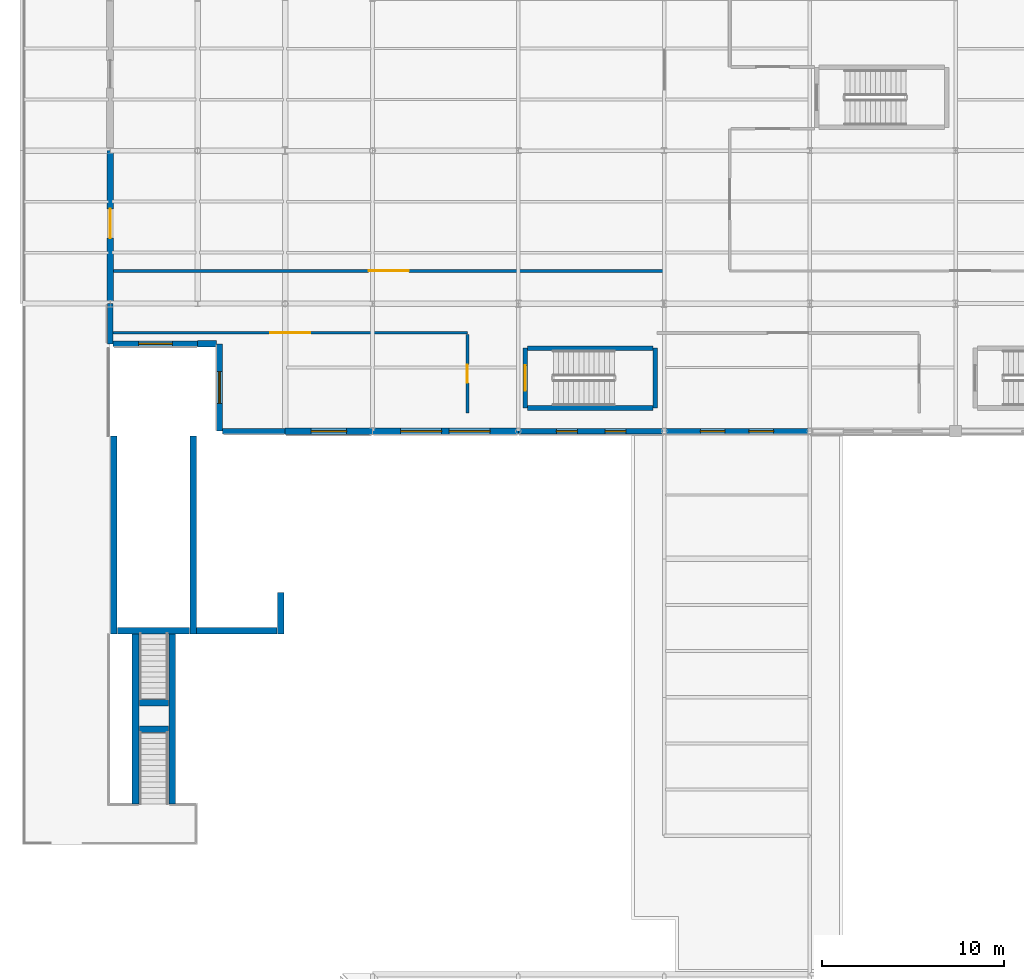
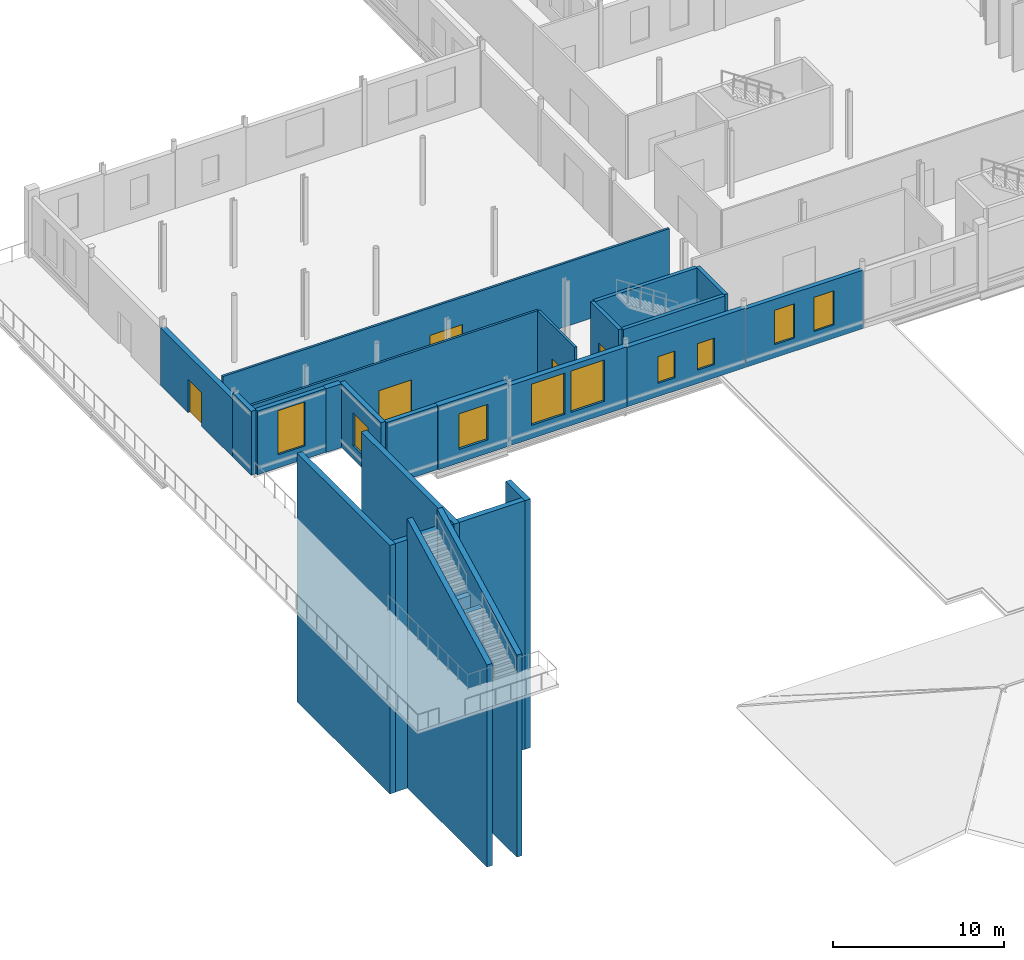
# One storey, part 93 of 120: 26 walls, 9 windows, 5 doors, 14 openings.
"""IFC4 building model written with IfcOpenShell, lengths in metres."""

from ifc_helpers import new_model, si_unit, direction, frame, frame_2d, origin, place, context, subcontext, project, spatial, polyline, rectangle, outline, extrude, material, layer, layer_set, type_object, element, fill, save


model = new_model("IFC4")

# Units and contexts
model_context = context("Model", 3, precision=1e-05, world=origin(), true_north=direction((0.0, 1.0)))
body_context = subcontext(model_context, "Body", "Model", "MODEL_VIEW")
ifc_project = project(units=[si_unit("LENGTHUNIT", "METRE"), si_unit("AREAUNIT", "SQUARE_METRE"), si_unit("VOLUMEUNIT", "CUBIC_METRE"), si_unit("PLANEANGLEUNIT", "RADIAN"), si_unit("MASSUNIT", "GRAM", prefix="KILO")], contexts=[model_context])

# Site, building, storey
site_placement = place(None, origin())
site = spatial("IfcSite", under=ifc_project, at=site_placement, CompositionType="ELEMENT")
building_placement = place(site_placement, origin())
building = spatial("IfcBuilding", under=site, at=building_placement, Name="Vekula Escarpment Museum", CompositionType="ELEMENT")
storey_placement = place(building_placement, frame((0.0, 0.0, 13.199951171875)))
storey = spatial("IfcBuildingStorey", under=building, at=storey_placement, Name="L03", CompositionType="ELEMENT", Elevation=13.199951171875)

# Wall
ifc_material_1 = material(Name="Inkisi arkosic sandstone masonry", Category="masonry")
ifc_layer_1 = layer(ifc_material_1, 0.300048828125)
ifc_layer_set_1 = layer_set([ifc_layer_1], Name="Inkisi arkosic sandstone masonry")
wall_type_1 = type_object("IfcWallType", Name="WL-ALM-300", PredefinedType="SOLIDWALL", material=ifc_layer_set_1)
wall_1_placement = place(storey_placement, frame((19.199951171875, 52.60009765625, 0.0), z_axis=(0.0, 0.0, 1.0), x_axis=(-1.0, 0.0, 0.0)))
element("IfcWall", 1, at=wall_1_placement, inside=storey, type_object=wall_type_1, Name="Exterior Wall WL-EXT-L03-0555", PredefinedType="SOLIDWALL", context=body_context, shape_type="SweptSolid", body=[
    extrude(rectangle(XDim=3.43603515625, YDim=0.300048828125, at=frame_2d((1.718017578125, 0.0))), origin(), (0.0, 0.0, 1.0), 4.56005859375),
])

# Wall, openings, windows
wall_2_placement = place(storey_placement, frame((48.0, 52.60009765625, 0.0), z_axis=(0.0, 0.0, 1.0), x_axis=(-1.0, 0.0, 0.0)))
wall_2 = element("IfcWall", 2, at=wall_2_placement, inside=storey, type_object=wall_type_1, Name="Exterior Wall WL-EXT-L03-0559", PredefinedType="SOLIDWALL", context=body_context, shape_type="SweptSolid", body=[
    extrude(rectangle(XDim=8.0, YDim=0.300048828125, at=frame_2d((4.0, 0.0))), origin(), (0.0, 0.0, 1.0), 4.18505859375),
])
opening_1_placement = place(wall_2_placement, frame((1.99169921875, 0.0, 0.949951171875)))
opening_1 = element("IfcOpeningElement", 3, at=opening_1_placement, cuts=wall_2, Name="Opening WN-31", PredefinedType="OPENING", context=body_context, shape_type="SweptSolid", body=[
    extrude(rectangle(XDim=1.35009765625, YDim=2.449951171875, at=frame_2d((0.675048828125, 1.22509765625))), frame((0.0, 0.159912109375, 0.0), z_axis=(0.0, -1.0, 0.0), x_axis=(1.0, 0.0, 0.0)), (0.0, 0.0, 1.0), 0.320068359375),
])
opening_2_placement = place(wall_2_placement, frame((4.658203125, 0.0, 0.949951171875)))
opening_2 = element("IfcOpeningElement", 4, at=opening_2_placement, cuts=wall_2, Name="Opening WN-31", PredefinedType="OPENING", context=body_context, shape_type="SweptSolid", body=[
    extrude(rectangle(XDim=1.35009765625, YDim=2.449951171875, at=frame_2d((0.675048828125, 1.22509765625))), frame((0.0, 0.159912109375, 0.0), z_axis=(0.0, -1.0, 0.0), x_axis=(1.0, 0.0, 0.0)), (0.0, 0.0, 1.0), 0.320068359375),
])
ifc_material_2 = material(Name="Double solar-control low-E glass", Category="glass")
window_type_1 = type_object("IfcWindowType", Name="WN-GAL-13x24", PartitioningType="SINGLE_PANEL", PredefinedType="WINDOW", material=ifc_material_2)
window_1_placement = place(opening_1_placement, origin())
window_1 = element("IfcWindow", 5, at=window_1_placement, inside=storey, type_object=window_type_1, Name="Window L03-0263", OverallHeight=2.449951171875, OverallWidth=1.35009765625, PartitioningType="SINGLE_PANEL", PredefinedType="WINDOW", context=body_context, shape_type="SweptSolid", body=[
    extrude(rectangle(XDim=1.35009765625, YDim=2.449951171875, at=frame_2d((0.675048828125, 1.22509765625))), frame((0.0, 0.030029296875, 0.0), z_axis=(0.0, -1.0, 0.0), x_axis=(1.0, 0.0, 0.0)), (0.0, 0.0, 1.0), 0.06005859375),
])
fill(opening_1, window_1)
window_2_placement = place(opening_2_placement, origin())
window_2 = element("IfcWindow", 6, at=window_2_placement, inside=storey, type_object=window_type_1, Name="Window L03-0264", OverallHeight=2.449951171875, OverallWidth=1.35009765625, PartitioningType="SINGLE_PANEL", PredefinedType="WINDOW", context=body_context, shape_type="SweptSolid", body=[
    extrude(rectangle(XDim=1.35009765625, YDim=2.449951171875, at=frame_2d((0.675048828125, 1.22509765625))), frame((0.0, 0.030029296875, 0.0), z_axis=(0.0, -1.0, 0.0), x_axis=(1.0, 0.0, 0.0)), (0.0, 0.0, 1.0), 0.06005859375),
])
fill(opening_2, window_2)

# Wall, opening, window
wall_3_placement = place(storey_placement, frame((14.39990234375, 57.39990234375, 0.0), z_axis=(0.0, 0.0, 1.0), x_axis=(-1.0, 0.0, 0.0)))
wall_3 = element("IfcWall", 7, at=wall_3_placement, inside=storey, type_object=wall_type_1, Name="Exterior Wall WL-EXT-L03-0683", PredefinedType="SOLIDWALL", context=body_context, shape_type="SweptSolid", body=[
    extrude(rectangle(XDim=4.635986328125, YDim=0.300048828125, at=frame_2d((2.31787109375, 0.0))), origin(), (0.0, 0.0, 1.0), 4.56005859375),
])
opening_3_placement = place(wall_3_placement, frame((1.39306640625, 0.0, 0.949951171875)))
opening_3 = element("IfcOpeningElement", 8, at=opening_3_placement, cuts=wall_3, Name="Opening WN-34", PredefinedType="OPENING", context=body_context, shape_type="SweptSolid", body=[
    extrude(rectangle(XDim=1.85009765625, YDim=3.14990234375, at=frame_2d((0.925048828125, 1.574951171875))), frame((0.0, 0.159912109375, 0.0), z_axis=(0.0, -1.0, 0.0), x_axis=(1.0, 0.0, 0.0)), (0.0, 0.0, 1.0), 0.320068359375),
])
ifc_material_3 = material(Name="Double solar-control low-E glass", Category="glass")
window_type_2 = type_object("IfcWindowType", Name="WN-GAL-18x31", PartitioningType="DOUBLE_PANEL_VERTICAL", PredefinedType="WINDOW", material=ifc_material_3)
window_3_placement = place(opening_3_placement, origin())
window_3 = element("IfcWindow", 9, at=window_3_placement, inside=storey, type_object=window_type_2, Name="Window L03-0356", OverallHeight=3.14990234375, OverallWidth=1.85009765625, PartitioningType="SINGLE_PANEL", PredefinedType="WINDOW", context=body_context, shape_type="SweptSolid", body=[
    extrude(rectangle(XDim=1.85009765625, YDim=3.14990234375, at=frame_2d((0.925048828125, 1.574951171875))), frame((0.0, 0.030029296875, 0.0), z_axis=(0.0, -1.0, 0.0), x_axis=(1.0, 0.0, 0.0)), (0.0, 0.0, 1.0), 0.06005859375),
])
fill(opening_3, window_3)

ifc_material_4 = material(Name="Inkisi arkosic sandstone masonry", Category="masonry")
ifc_layer_2 = layer(ifc_material_4, 0.320068359375)
ifc_layer_set_2 = layer_set([ifc_layer_2], Name="Inkisi arkosic sandstone masonry")
wall_type_2 = type_object("IfcWallType", Name="WL-ALM-320", PredefinedType="SOLIDWALL", material=ifc_layer_set_2)
wall_4_placement = place(storey_placement, frame((15.60009765625, 52.60009765625, 0.0), z_axis=(0.0, 0.0, 1.0), x_axis=(0.0, 1.0, 0.0)))
wall_4 = element("IfcWall", 10, at=wall_4_placement, inside=storey, type_object=wall_type_2, Name="Exterior Wall WL-EXT-L03-0554", PredefinedType="SOLIDWALL", context=body_context, shape_type="SweptSolid", body=[
    extrude(rectangle(XDim=4.7998046875, YDim=0.320068359375, at=frame_2d((2.39990234375, 0.0))), origin(), (0.0, 0.0, 1.0), 4.56005859375),
])
opening_4_placement = place(wall_4_placement, frame((1.52490234375, 0.0, 0.949951171875)))
opening_4 = element("IfcOpeningElement", 11, at=opening_4_placement, cuts=wall_4, Name="Opening WN-25", PredefinedType="OPENING", context=body_context, shape_type="SweptSolid", body=[
    extrude(rectangle(XDim=1.75, YDim=2.35009765625, at=frame_2d((0.875, 1.175048828125))), frame((0.0, 0.169921875, 0.0), z_axis=(0.0, -1.0, 0.0), x_axis=(1.0, 0.0, 0.0)), (0.0, 0.0, 1.0), 0.340087890625),
])
ifc_material_5 = material(Name="Double solar-control low-E glass", Category="glass")
window_type_3 = type_object("IfcWindowType", Name="WN-GAL-17x23", PartitioningType="DOUBLE_PANEL_HORIZONTAL", PredefinedType="WINDOW", material=ifc_material_5)
window_4_placement = place(opening_4_placement, origin())
window_4 = element("IfcWindow", 12, at=window_4_placement, inside=storey, type_object=window_type_3, Name="Window L03-0257", OverallHeight=2.35009765625, OverallWidth=1.75, PartitioningType="SINGLE_PANEL", PredefinedType="WINDOW", context=body_context, shape_type="SweptSolid", body=[
    extrude(rectangle(XDim=1.75, YDim=2.35009765625, at=frame_2d((0.875, 1.175048828125))), frame((0.0, 0.030029296875, 0.0), z_axis=(0.0, -1.0, 0.0), x_axis=(1.0, 0.0, 0.0)), (0.0, 0.0, 1.0), 0.06005859375),
])
fill(opening_4, window_4)

# Wall, openings, windows
wall_5_placement = place(storey_placement, frame((40.0, 52.60009765625, 0.0), z_axis=(0.0, 0.0, 1.0), x_axis=(-1.0, 0.0, 0.0)))
wall_5 = element("IfcWall", 13, at=wall_5_placement, inside=storey, type_object=wall_type_2, Name="Exterior Wall WL-EXT-L03-0558", PredefinedType="SOLIDWALL", context=body_context, shape_type="SweptSolid", body=[
    extrude(rectangle(XDim=8.0, YDim=0.320068359375, at=frame_2d((4.0, 0.0))), origin(), (0.0, 0.0, 1.0), 4.2451171875),
])
opening_5_placement = place(wall_5_placement, frame((2.091796875, 0.0, 0.949951171875)))
opening_5 = element("IfcOpeningElement", 14, at=opening_5_placement, cuts=wall_5, Name="Opening WN-29", PredefinedType="OPENING", context=body_context, shape_type="SweptSolid", body=[
    extrude(rectangle(XDim=1.14990234375, YDim=1.89990234375, at=frame_2d((0.574951171875, 0.949951171875))), frame((0.0, 0.169921875, 0.0), z_axis=(0.0, -1.0, 0.0), x_axis=(1.0, 0.0, 0.0)), (0.0, 0.0, 1.0), 0.340087890625),
])
opening_6_placement = place(wall_5_placement, frame((4.75830078125, 0.0, 0.949951171875)))
opening_6 = element("IfcOpeningElement", 15, at=opening_6_placement, cuts=wall_5, Name="Opening WN-29", PredefinedType="OPENING", context=body_context, shape_type="SweptSolid", body=[
    extrude(rectangle(XDim=1.14990234375, YDim=1.89990234375, at=frame_2d((0.574951171875, 0.949951171875))), frame((0.0, 0.169921875, 0.0), z_axis=(0.0, -1.0, 0.0), x_axis=(1.0, 0.0, 0.0)), (0.0, 0.0, 1.0), 0.340087890625),
])
ifc_material_6 = material(Name="Double solar-control low-E glass", Category="glass")
window_type_4 = type_object("IfcWindowType", Name="WN-GAL-11x19", PartitioningType="SINGLE_PANEL", PredefinedType="WINDOW", material=ifc_material_6)
window_5_placement = place(opening_5_placement, origin())
window_5 = element("IfcWindow", 16, at=window_5_placement, inside=storey, type_object=window_type_4, Name="Window L03-0261", OverallHeight=1.89990234375, OverallWidth=1.14990234375, PartitioningType="SINGLE_PANEL", PredefinedType="WINDOW", context=body_context, shape_type="SweptSolid", body=[
    extrude(rectangle(XDim=1.14990234375, YDim=1.89990234375, at=frame_2d((0.574951171875, 0.949951171875))), frame((0.0, 0.030029296875, 0.0), z_axis=(0.0, -1.0, 0.0), x_axis=(1.0, 0.0, 0.0)), (0.0, 0.0, 1.0), 0.06005859375),
])
fill(opening_5, window_5)
window_6_placement = place(opening_6_placement, origin())
window_6 = element("IfcWindow", 17, at=window_6_placement, inside=storey, type_object=window_type_4, Name="Window L03-0262", OverallHeight=1.89990234375, OverallWidth=1.14990234375, PartitioningType="SINGLE_PANEL", PredefinedType="WINDOW", context=body_context, shape_type="SweptSolid", body=[
    extrude(rectangle(XDim=1.14990234375, YDim=1.89990234375, at=frame_2d((0.574951171875, 0.949951171875))), frame((0.0, 0.030029296875, 0.0), z_axis=(0.0, -1.0, 0.0), x_axis=(1.0, 0.0, 0.0)), (0.0, 0.0, 1.0), 0.06005859375),
])
fill(opening_6, window_6)

# Wall
wall_6_placement = place(storey_placement, frame((9.60009765625, 57.39990234375, 0.0), z_axis=(0.0, 0.0, 1.0), x_axis=(0.0, 1.0, 0.0)))
element("IfcWall", 18, at=wall_6_placement, inside=storey, type_object=wall_type_2, Name="Exterior Wall WL-EXT-L03-0682", PredefinedType="SOLIDWALL", context=body_context, shape_type="SweptSolid", body=[
    extrude(rectangle(XDim=2.2001953125, YDim=0.320068359375, at=frame_2d((1.10009765625, 0.0))), origin(), (0.0, 0.0, 1.0), 4.56005859375),
])

# Wall, openings, windows
ifc_material_7 = material(Name="Inkisi arkosic sandstone masonry", Category="masonry")
ifc_layer_3 = layer(ifc_material_7, 0.35009765625)
ifc_layer_set_3 = layer_set([ifc_layer_3], Name="Inkisi arkosic sandstone masonry")
wall_type_3 = type_object("IfcWallType", Name="WL-ALM-350", PredefinedType="SOLIDWALL", material=ifc_layer_set_3)
wall_7_placement = place(storey_placement, frame((32.0, 52.60009765625, 0.0), z_axis=(0.0, 0.0, 1.0), x_axis=(-1.0, 0.0, 0.0)))
wall_7 = element("IfcWall", 19, at=wall_7_placement, inside=storey, type_object=wall_type_3, Name="Exterior Wall WL-EXT-L03-0557", PredefinedType="SOLIDWALL", context=body_context, shape_type="SweptSolid", body=[
    extrude(rectangle(XDim=8.0, YDim=0.35009765625, at=frame_2d((4.0, 0.0))), origin(), (0.0, 0.0, 1.0), 4.31494140625),
])
opening_7_placement = place(wall_7_placement, frame((1.541748046875, 0.0, 0.949951171875)))
opening_7 = element("IfcOpeningElement", 20, at=opening_7_placement, cuts=wall_7, Name="Opening WN-27", PredefinedType="OPENING", context=body_context, shape_type="SweptSolid", body=[
    extrude(rectangle(XDim=2.25, YDim=2.949951171875, at=frame_2d((1.125, 1.47509765625))), frame((0.0, 0.18505859375, 0.0), z_axis=(0.0, -1.0, 0.0), x_axis=(1.0, 0.0, 0.0)), (0.0, 0.0, 1.0), 0.3701171875),
])
opening_8_placement = place(wall_7_placement, frame((4.208251953125, 0.0, 0.949951171875)))
opening_8 = element("IfcOpeningElement", 21, at=opening_8_placement, cuts=wall_7, Name="Opening WN-27", PredefinedType="OPENING", context=body_context, shape_type="SweptSolid", body=[
    extrude(rectangle(XDim=2.25, YDim=2.949951171875, at=frame_2d((1.125, 1.47509765625))), frame((0.0, 0.18505859375, 0.0), z_axis=(0.0, -1.0, 0.0), x_axis=(1.0, 0.0, 0.0)), (0.0, 0.0, 1.0), 0.3701171875),
])
ifc_material_8 = material(Name="Double solar-control low-E glass", Category="glass")
window_type_5 = type_object("IfcWindowType", Name="WN-GAL-22x29", PartitioningType="DOUBLE_PANEL_VERTICAL", PredefinedType="WINDOW", material=ifc_material_8)
window_7_placement = place(opening_7_placement, origin())
window_7 = element("IfcWindow", 22, at=window_7_placement, inside=storey, type_object=window_type_5, Name="Window L03-0259", OverallHeight=2.949951171875, OverallWidth=2.25, PartitioningType="SINGLE_PANEL", PredefinedType="WINDOW", context=body_context, shape_type="SweptSolid", body=[
    extrude(rectangle(XDim=2.25, YDim=2.949951171875, at=frame_2d((1.125, 1.47509765625))), frame((0.0, 0.030029296875, 0.0), z_axis=(0.0, -1.0, 0.0), x_axis=(1.0, 0.0, 0.0)), (0.0, 0.0, 1.0), 0.06005859375),
])
fill(opening_7, window_7)
window_8_placement = place(opening_8_placement, origin())
window_8 = element("IfcWindow", 23, at=window_8_placement, inside=storey, type_object=window_type_5, Name="Window L03-0260", OverallHeight=2.949951171875, OverallWidth=2.25, PartitioningType="SINGLE_PANEL", PredefinedType="WINDOW", context=body_context, shape_type="SweptSolid", body=[
    extrude(rectangle(XDim=2.25, YDim=2.949951171875, at=frame_2d((1.125, 1.47509765625))), frame((0.0, 0.030029296875, 0.0), z_axis=(0.0, -1.0, 0.0), x_axis=(1.0, 0.0, 0.0)), (0.0, 0.0, 1.0), 0.06005859375),
])
fill(opening_8, window_8)

# Wall, opening, door
wall_8_placement = place(storey_placement, frame((9.60009765625, 59.60009765625, 0.0), z_axis=(0.0, 0.0, 1.0), x_axis=(0.0, 1.0, 0.0)))
wall_8 = element("IfcWall", 24, at=wall_8_placement, inside=storey, type_object=wall_type_3, Name="Exterior Wall WL-EXT-L03-0681", PredefinedType="SOLIDWALL", context=body_context, shape_type="SweptSolid", body=[
    extrude(rectangle(XDim=8.39990234375, YDim=0.35009765625, at=frame_2d((4.199951171875, 0.0))), origin(), (0.0, 0.0, 1.0), 4.125),
])
opening_9_placement = place(wall_8_placement, frame((3.60009765625, 0.0, 0.0)))
opening_9 = element("IfcOpeningElement", 25, at=opening_9_placement, cuts=wall_8, Name="Opening D-TR31", PredefinedType="OPENING", context=body_context, shape_type="SweptSolid", body=[
    extrude(rectangle(XDim=1.60009765625, YDim=2.39990234375, at=frame_2d((0.800048828125, 1.199951171875))), frame((0.0, 0.18505859375, 0.0), z_axis=(0.0, -1.0, 0.0), x_axis=(1.0, 0.0, 0.0)), (0.0, 0.0, 1.0), 0.3701171875),
])
ifc_material_9 = material(Name="Thermally broken glazed terrace door", Category="steel")
door_type_1 = type_object("IfcDoorType", Name="DR-TER-1600x2400", OperationType="NOTDEFINED", PredefinedType="DOOR", material=ifc_material_9)
door_1_placement = place(opening_9_placement, origin())
door_1 = element("IfcDoor", 26, at=door_1_placement, inside=storey, type_object=door_type_1, Name="Tier 2 Terrace Gallery Door D-TR31", OperationType="SINGLE_SWING_LEFT", OverallHeight=2.39990234375, OverallWidth=1.60009765625, PredefinedType="DOOR", context=body_context, shape_type="SweptSolid", body=[
    extrude(rectangle(XDim=1.60009765625, YDim=2.39990234375, at=frame_2d((0.800048828125, 1.199951171875))), frame((0.0, 0.02490234375, 0.0), z_axis=(0.0, -1.0, 0.0), x_axis=(1.0, 0.0, 0.0)), (0.0, 0.0, 1.0), 0.050048828125),
])
fill(opening_9, door_1)

# Wall, opening, window
ifc_material_10 = material(Name="Inkisi arkosic sandstone masonry", Category="masonry")
ifc_layer_4 = layer(ifc_material_10, 0.3798828125)
ifc_layer_set_4 = layer_set([ifc_layer_4], Name="Inkisi arkosic sandstone masonry")
wall_type_4 = type_object("IfcWallType", Name="WL-ALM-380", PredefinedType="SOLIDWALL", material=ifc_layer_set_4)
wall_9_placement = place(storey_placement, frame((24.0, 52.60009765625, 0.0), z_axis=(0.0, 0.0, 1.0), x_axis=(-1.0, 0.0, 0.0)))
wall_9 = element("IfcWall", 27, at=wall_9_placement, inside=storey, type_object=wall_type_4, Name="Exterior Wall WL-EXT-L03-0556", PredefinedType="SOLIDWALL", context=body_context, shape_type="SweptSolid", body=[
    extrude(rectangle(XDim=4.800048828125, YDim=0.3798828125, at=frame_2d((2.39990234375, 0.0))), origin(), (0.0, 0.0, 1.0), 4.56005859375),
])
opening_10_placement = place(wall_9_placement, frame((1.425048828125, 0.0, 0.949951171875)))
opening_10 = element("IfcOpeningElement", 28, at=opening_10_placement, cuts=wall_9, Name="Opening WN-26", PredefinedType="OPENING", context=body_context, shape_type="SweptSolid", body=[
    extrude(rectangle(XDim=1.949951171875, YDim=2.550048828125, at=frame_2d((0.97509765625, 1.27490234375))), frame((0.0, 0.199951171875, 0.0), z_axis=(0.0, -1.0, 0.0), x_axis=(1.0, 0.0, 0.0)), (0.0, 0.0, 1.0), 0.39990234375),
])
ifc_material_11 = material(Name="Double solar-control low-E glass", Category="glass")
window_type_6 = type_object("IfcWindowType", Name="WN-GAL-19x25", PartitioningType="DOUBLE_PANEL_VERTICAL", PredefinedType="WINDOW", material=ifc_material_11)
window_9_placement = place(opening_10_placement, origin())
window_9 = element("IfcWindow", 29, at=window_9_placement, inside=storey, type_object=window_type_6, Name="Window L03-0258", OverallHeight=2.550048828125, OverallWidth=1.949951171875, PartitioningType="SINGLE_PANEL", PredefinedType="WINDOW", context=body_context, shape_type="SweptSolid", body=[
    extrude(rectangle(XDim=1.949951171875, YDim=2.550048828125, at=frame_2d((0.97509765625, 1.27490234375))), frame((0.0, 0.030029296875, 0.0), z_axis=(0.0, -1.0, 0.0), x_axis=(1.0, 0.0, 0.0)), (0.0, 0.0, 1.0), 0.06005859375),
])
fill(opening_10, window_9)

# Walls
wall_10_placement = place(storey_placement, frame((15.43603515625, 57.39990234375, 0.0), z_axis=(0.0, 0.0, 1.0), x_axis=(-1.0, 0.0, 0.0)))
element("IfcWall", 30, at=wall_10_placement, inside=storey, type_object=wall_type_4, Name="Exterior Wall WL-EXT-L03-0684", PredefinedType="SOLIDWALL", context=body_context, shape_type="SweptSolid", body=[
    extrude(rectangle(XDim=1.0361328125, YDim=0.3798828125, at=frame_2d((0.51806640625, 0.0))), origin(), (0.0, 0.0, 1.0), 4.56005859375),
])
ifc_material_12 = material(Name="Inkisi arkosic sandstone masonry", Category="masonry")
ifc_layer_5 = layer(ifc_material_12, 0.360107421875)
ifc_layer_set_5 = layer_set([ifc_layer_5], Name="Inkisi arkosic sandstone masonry")
wall_type_5 = type_object("IfcWallType", Name="WL-AMP-CHEEK", PredefinedType="SOLIDWALL", material=ifc_layer_set_5)
for number, where, z_axis, x_axis, name in (
    (31, (10.989990234375, 32.14990234375, -13.199951171875), (0.0, 0.0, 1.0), (0.0, 1.0, 0.0), "Escarpment Plinth Stepped Cheek Wall ST-AMP-S3 W"),
    (32, (13.010009765625, 32.14990234375, -13.199951171875), (0.0, 0.0, 1.0), (0.0, 1.0, 0.0), "Escarpment Plinth Stepped Cheek Wall ST-AMP-S3 E"),
):
    element("IfcWall", number, at=place(storey_placement, frame(where, z_axis=z_axis, x_axis=x_axis)), inside=storey, type_object=wall_type_5, Name=name, PredefinedType="SOLIDWALL", context=body_context, shape_type="SweptSolid", body=[
        extrude(outline(polyline([(0.0, 0.0), (9.35009765625, 0.0), (9.35009765625, 19.25), (0.0, 14.449951171875), (0.0, 0.0)])), frame((0.0, 0.18017578125, 0.0), z_axis=(0.0, -1.0, 0.0), x_axis=(1.0, 0.0, 0.0)), (0.0, 0.0, 1.0), 0.360107421875),
    ])
for number, where, z_axis, x_axis, name in (
    (33, (11.199951171875, 36.25, -13.199951171875), (0.0, 0.0, 1.0), (1.0, 0.0, 0.0), "Escarpment Plinth Landing Pier Wall ST-AMP-S3-1A"),
    (34, (11.199951171875, 37.699951171875, -13.199951171875), (0.0, 0.0, 1.0), (1.0, 0.0, 0.0), "Escarpment Plinth Landing Pier Wall ST-AMP-S3-1B"),
):
    element("IfcWall", number, at=place(storey_placement, frame(where, z_axis=z_axis, x_axis=x_axis)), inside=storey, type_object=wall_type_5, Name=name, PredefinedType="SOLIDWALL", context=body_context, shape_type="SweptSolid", body=[
        extrude(rectangle(XDim=1.60009765625, YDim=0.360107421875, at=frame_2d((0.800048828125, 0.0))), origin(), (0.0, 0.0, 1.0), 15.489013671875),
    ])
for number, where, z_axis, x_axis, name in (
    (35, (9.800048828125, 41.4599609375, -13.199951171875), (0.0, 0.0, 1.0), (0.0, 1.0, 0.0), "Stepped Plinth Terrace Wall L03-12"),
    (36, (14.14990234375, 41.4599609375, -13.199951171875), (0.0, 0.0, 1.0), (0.0, 1.0, 0.0), "Stepped Plinth Terrace Wall L03-13"),
):
    element("IfcWall", number, at=place(storey_placement, frame(where, z_axis=z_axis, x_axis=x_axis)), inside=storey, type_object=wall_type_5, Name=name, PredefinedType="SOLIDWALL", context=body_context, shape_type="SweptSolid", body=[
        extrude(rectangle(XDim=10.89013671875, YDim=0.360107421875, at=frame_2d((5.445068359375, 0.0))), origin(), (0.0, 0.0, 1.0), 17.780029296875),
    ])
wall_11_placement = place(storey_placement, frame((18.949951171875, 41.4599609375, -13.199951171875), z_axis=(0.0, 0.0, 1.0), x_axis=(0.0, 1.0, 0.0)))
element("IfcWall", 37, at=wall_11_placement, inside=storey, type_object=wall_type_5, Name="Stepped Plinth Terrace Wall L03-14", PredefinedType="SOLIDWALL", context=body_context, shape_type="SweptSolid", body=[
    extrude(rectangle(XDim=2.2900390625, YDim=0.360107421875, at=frame_2d((1.14501953125, 0.0))), origin(), (0.0, 0.0, 1.0), 17.780029296875),
])
wall_12_placement = place(storey_placement, frame((10.0, 41.64990234375, -13.199951171875), z_axis=(0.0, 0.0, 1.0), x_axis=(1.0, 0.0, 0.0)))
element("IfcWall", 38, at=wall_12_placement, inside=storey, type_object=wall_type_5, Name="Stepped Plinth Terrace Wall L03-15", PredefinedType="SOLIDWALL", context=body_context, shape_type="SweptSolid", body=[
    extrude(rectangle(XDim=3.966064453125, YDim=0.360107421875, at=frame_2d((1.98291015625, 0.0))), origin(), (0.0, 0.0, 1.0), 17.780029296875),
])
wall_13_placement = place(storey_placement, frame((14.333984375, 41.64990234375, -13.199951171875), z_axis=(0.0, 0.0, 1.0), x_axis=(1.0, 0.0, 0.0)))
element("IfcWall", 39, at=wall_13_placement, inside=storey, type_object=wall_type_5, Name="Stepped Plinth Terrace Wall L03-15", PredefinedType="SOLIDWALL", context=body_context, shape_type="SweptSolid", body=[
    extrude(rectangle(XDim=4.416015625, YDim=0.360107421875, at=frame_2d((2.2080078125, 0.0))), origin(), (0.0, 0.0, 1.0), 17.780029296875),
])

# Wall, opening, door
ifc_material_13 = material(Name="Concrete C35/45", Category="concrete")
ifc_layer_6 = layer(ifc_material_13, 0.25)
ifc_layer_set_6 = layer_set([ifc_layer_6], Name="Concrete C35/45")
wall_type_6 = type_object("IfcWallType", Name="WL-CORE-250", PredefinedType="SHEAR", material=ifc_layer_set_6)
wall_14_placement = place(storey_placement, frame((32.375, 53.875, 0.0), z_axis=(0.0, 0.0, 1.0), x_axis=(0.0, 1.0, 0.0)))
wall_14 = element("IfcWall", 40, at=wall_14_placement, inside=storey, type_object=wall_type_6, Name="Stair Core Wall ST-04 L03 W", PredefinedType="SHEAR", context=body_context, shape_type="SweptSolid", body=[
    extrude(rectangle(XDim=3.2900390625, YDim=0.25, at=frame_2d((1.64501953125, 0.0))), origin(), (0.0, 0.0, 1.0), 4.56005859375),
])
opening_11_placement = place(wall_14_placement, frame((0.945068359375, 0.0, 0.0)))
opening_11 = element("IfcOpeningElement", 41, at=opening_11_placement, cuts=wall_14, Name="Opening DR-FD60", PredefinedType="OPENING", context=body_context, shape_type="SweptSolid", body=[
    extrude(rectangle(XDim=1.39990234375, YDim=2.199951171875, at=frame_2d((0.699951171875, 1.10009765625))), frame((0.0, 0.135009765625, 0.0), z_axis=(0.0, -1.0, 0.0), x_axis=(1.0, 0.0, 0.0)), (0.0, 0.0, 1.0), 0.27001953125),
])
ifc_material_14 = material(Name="Fire-rated steel stair door", Category="steel")
door_type_2 = type_object("IfcDoorType", Name="DR-STAIR-1400x2200", OperationType="NOTDEFINED", PredefinedType="DOOR", material=ifc_material_14)
door_2_placement = place(opening_11_placement, origin())
door_2 = element("IfcDoor", 42, at=door_2_placement, inside=storey, type_object=door_type_2, Name="Protected Exit Stair Door ST-04 L03", OperationType="SINGLE_SWING_LEFT", OverallHeight=2.199951171875, OverallWidth=1.39990234375, PredefinedType="DOOR", context=body_context, shape_type="SweptSolid", body=[
    extrude(rectangle(XDim=1.39990234375, YDim=2.199951171875, at=frame_2d((0.699951171875, 1.10009765625))), frame((0.0, 0.02490234375, 0.0), z_axis=(0.0, -1.0, 0.0), x_axis=(1.0, 0.0, 0.0)), (0.0, 0.0, 1.0), 0.050048828125),
])
fill(opening_11, door_2)

# Walls
wall_15_placement = place(storey_placement, frame((39.52490234375, 53.875, 0.0), z_axis=(0.0, 0.0, 1.0), x_axis=(0.0, 1.0, 0.0)))
element("IfcWall", 43, at=wall_15_placement, inside=storey, type_object=wall_type_6, Name="Stair Core Wall ST-04 L03 E", PredefinedType="SHEAR", context=body_context, shape_type="SweptSolid", body=[
    extrude(rectangle(XDim=3.2900390625, YDim=0.25, at=frame_2d((1.64501953125, 0.0))), origin(), (0.0, 0.0, 1.0), 4.56005859375),
])
for number, where, z_axis, x_axis, name in (
    (44, (32.50390625, 53.875, 0.0), (0.0, 0.0, 1.0), (1.0, 0.0, 0.0), "Stair Core Wall ST-04 L03 S"),
    (45, (32.50390625, 57.1650390625, 0.0), (0.0, 0.0, 1.0), (1.0, 0.0, 0.0), "Stair Core Wall ST-04 L03 N"),
):
    element("IfcWall", number, at=place(storey_placement, frame(where, z_axis=z_axis, x_axis=x_axis)), inside=storey, type_object=wall_type_6, Name=name, PredefinedType="SHEAR", context=body_context, shape_type="SweptSolid", body=[
        extrude(rectangle(XDim=6.89208984375, YDim=0.25, at=frame_2d((3.446044921875, 0.0))), origin(), (0.0, 0.0, 1.0), 4.56005859375),
    ])

# Wall, opening, door
ifc_material_15 = material(Name="Gypsum board dry-lined partition", Category="gypsum")
ifc_layer_7 = layer(ifc_material_15, 0.14990234375)
ifc_layer_set_7 = layer_set([ifc_layer_7], Name="Gypsum board dry-lined partition")
wall_type_7 = type_object("IfcWallType", Name="WL-PART-150", PredefinedType="PARTITIONING", material=ifc_layer_set_7)
wall_16_placement = place(storey_placement, frame((9.779052734375, 61.39990234375, 0.0), z_axis=(0.0, 0.0, 1.0), x_axis=(1.0, 0.0, 0.0)))
wall_16 = element("IfcWall", 46, at=wall_16_placement, inside=storey, type_object=wall_type_7, Name="Interior Partition WL-INT-L03-0011", PredefinedType="PARTITIONING", context=body_context, shape_type="SweptSolid", body=[
    extrude(rectangle(XDim=30.220947265625, YDim=0.14990234375, at=frame_2d((15.1103515625, 0.0))), origin(), (0.0, 0.0, 1.0), 4.56005859375),
])
opening_12_placement = place(wall_16_placement, frame((14.010498046875, 0.0, 0.0)))
opening_12 = element("IfcOpeningElement", 47, at=opening_12_placement, cuts=wall_16, Name="Opening DR-GL22", PredefinedType="OPENING", context=body_context, shape_type="SweptSolid", body=[
    extrude(rectangle(XDim=2.199951171875, YDim=2.60009765625, at=frame_2d((1.10009765625, 1.300048828125))), frame((0.0, 0.0849609375, 0.0), z_axis=(0.0, -1.0, 0.0), x_axis=(1.0, 0.0, 0.0)), (0.0, 0.0, 1.0), 0.169921875),
])
ifc_material_16 = material(Name="Double acoustic timber gallery door", Category="wood")
door_type_3 = type_object("IfcDoorType", Name="DR-GAL-2200x2600", OperationType="NOTDEFINED", PredefinedType="DOOR", material=ifc_material_16)
door_3_placement = place(opening_12_placement, origin())
door_3 = element("IfcDoor", 48, at=door_3_placement, inside=storey, type_object=door_type_3, Name="Interior Door L03-010", OperationType="SINGLE_SWING_LEFT", OverallHeight=2.60009765625, OverallWidth=2.199951171875, PredefinedType="DOOR", context=body_context, shape_type="SweptSolid", body=[
    extrude(rectangle(XDim=2.199951171875, YDim=2.60009765625, at=frame_2d((1.10009765625, 1.300048828125))), frame((0.0, 0.02490234375, 0.0), z_axis=(0.0, -1.0, 0.0), x_axis=(1.0, 0.0, 0.0)), (0.0, 0.0, 1.0), 0.050048828125),
])
fill(opening_12, door_3)

wall_17_placement = place(storey_placement, frame((9.763916015625, 58.0, 0.0), z_axis=(0.0, 0.0, 1.0), x_axis=(1.0, 0.0, 0.0)))
wall_17 = element("IfcWall", 49, at=wall_17_placement, inside=storey, type_object=wall_type_7, Name="Interior Partition WL-INT-L03-0014", PredefinedType="PARTITIONING", context=body_context, shape_type="SweptSolid", body=[
    extrude(rectangle(XDim=19.43603515625, YDim=0.14990234375, at=frame_2d((9.718017578125, 0.0))), origin(), (0.0, 0.0, 1.0), 4.56005859375),
])
opening_13_placement = place(wall_17_placement, frame((8.617919921875, 0.0, 0.0)))
opening_13 = element("IfcOpeningElement", 50, at=opening_13_placement, cuts=wall_17, Name="Opening DR-GL22", PredefinedType="OPENING", context=body_context, shape_type="SweptSolid", body=[
    extrude(rectangle(XDim=2.199951171875, YDim=2.60009765625, at=frame_2d((1.10009765625, 1.300048828125))), frame((0.0, 0.0849609375, 0.0), z_axis=(0.0, -1.0, 0.0), x_axis=(1.0, 0.0, 0.0)), (0.0, 0.0, 1.0), 0.169921875),
])
door_4_placement = place(opening_13_placement, origin())
door_4 = element("IfcDoor", 51, at=door_4_placement, inside=storey, type_object=door_type_3, Name="Interior Door L03-013", OperationType="SINGLE_SWING_RIGHT", OverallHeight=2.60009765625, OverallWidth=2.199951171875, PredefinedType="DOOR", context=body_context, shape_type="SweptSolid", body=[
    extrude(rectangle(XDim=2.199951171875, YDim=2.60009765625, at=frame_2d((1.10009765625, 1.300048828125))), frame((0.0, 0.02490234375, 0.0), z_axis=(0.0, -1.0, 0.0), x_axis=(1.0, 0.0, 0.0)), (0.0, 0.0, 1.0), 0.050048828125),
])
fill(opening_13, door_4)

ifc_material_17 = material(Name="Gypsum board gallery partition", Category="gypsum")
ifc_layer_8 = layer(ifc_material_17, 0.159912109375)
ifc_layer_set_8 = layer_set([ifc_layer_8], Name="Gypsum board gallery partition")
wall_type_8 = type_object("IfcWallType", Name="WL-PART-160", PredefinedType="PARTITIONING", material=ifc_layer_set_8)
wall_18_placement = place(storey_placement, frame((29.199951171875, 53.60009765625, 0.0), z_axis=(0.0, 0.0, 1.0), x_axis=(0.0, 1.0, 0.0)))
wall_18 = element("IfcWall", 52, at=wall_18_placement, inside=storey, type_object=wall_type_8, Name="Interior Partition WL-INT-L03-0022", PredefinedType="PARTITIONING", context=body_context, shape_type="SweptSolid", body=[
    extrude(rectangle(XDim=4.32080078125, YDim=0.159912109375, at=frame_2d((2.160400390625, 0.0))), origin(), (0.0, 0.0, 1.0), 4.56005859375),
])
opening_14_placement = place(wall_18_placement, frame((1.660400390625, 0.0, 0.0)))
opening_14 = element("IfcOpeningElement", 53, at=opening_14_placement, cuts=wall_18, Name="Opening DR-OF10", PredefinedType="OPENING", context=body_context, shape_type="SweptSolid", body=[
    extrude(rectangle(XDim=1.0, YDim=2.14990234375, at=frame_2d((0.5, 1.074951171875))), frame((0.0, 0.08984375, 0.0), z_axis=(0.0, -1.0, 0.0), x_axis=(1.0, 0.0, 0.0)), (0.0, 0.0, 1.0), 0.179931640625),
])
ifc_material_18 = material(Name="Solid core timber study door", Category="wood")
door_type_4 = type_object("IfcDoorType", Name="DR-OFF-1000x2150", OperationType="NOTDEFINED", PredefinedType="DOOR", material=ifc_material_18)
door_5_placement = place(opening_14_placement, origin())
door_5 = element("IfcDoor", 54, at=door_5_placement, inside=storey, type_object=door_type_4, Name="Interior Door L03-021", OperationType="SINGLE_SWING_RIGHT", OverallHeight=2.14990234375, OverallWidth=1.0, PredefinedType="DOOR", context=body_context, shape_type="SweptSolid", body=[
    extrude(rectangle(XDim=1.0, YDim=2.14990234375, at=frame_2d((0.5, 1.074951171875))), frame((0.0, 0.02490234375, 0.0), z_axis=(0.0, -1.0, 0.0), x_axis=(1.0, 0.0, 0.0)), (0.0, 0.0, 1.0), 0.050048828125),
])
fill(opening_14, door_5)

save(model, "model.ifc")
